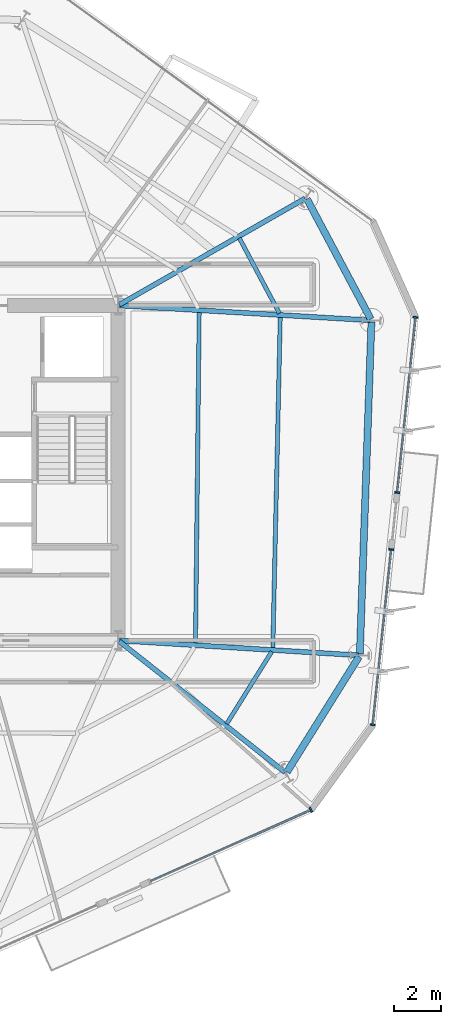
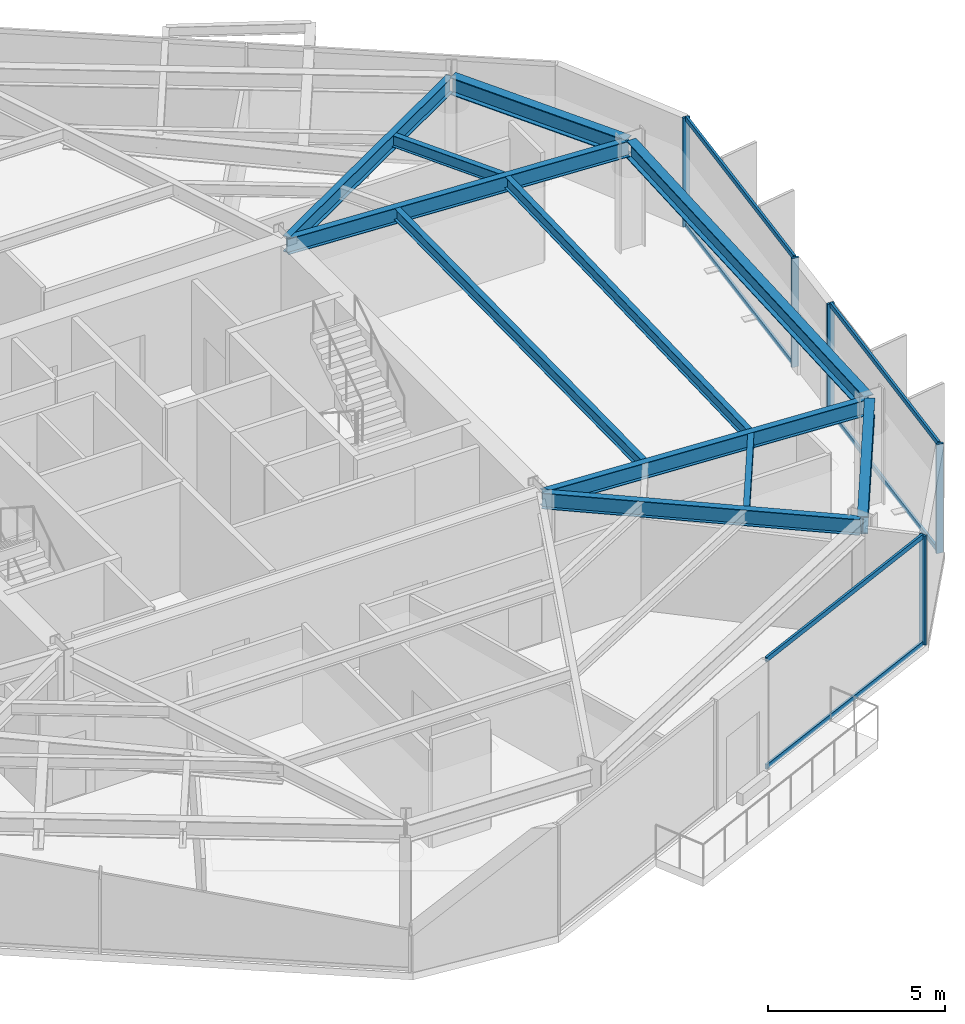
# One storey, part 4 of 13: 11 beams, 11 members, 3 elements without a shape of their own.
"""IFC4 building model written with IfcOpenShell, lengths in metres."""

from ifc_helpers import new_model, si_unit, direction, frame, origin, origin_2d, place, context, subcontext, project, spatial, rectangle, i_section, extrude, material, layer, layer_set, material_profile, profile_set, type_object, element, aggregate, save


model = new_model("IFC4")

# Units and contexts
model_context = context("Model", 3, precision=1e-05, world=origin(), true_north=direction((0.0, 1.0)))
body_context = subcontext(model_context, "Body", "Model", "MODEL_VIEW")
ifc_project = project(units=[si_unit("LENGTHUNIT", "METRE"), si_unit("AREAUNIT", "SQUARE_METRE"), si_unit("VOLUMEUNIT", "CUBIC_METRE"), si_unit("PLANEANGLEUNIT", "RADIAN"), si_unit("MASSUNIT", "GRAM", prefix="KILO")], contexts=[model_context])

# Site, building, storey
site_placement = place(None, origin())
site = spatial("IfcSite", under=ifc_project, at=site_placement, CompositionType="ELEMENT")
building_placement = place(site_placement, origin())
building = spatial("IfcBuilding", under=site, at=building_placement, Name="Kranzbogen Civic Tower", CompositionType="ELEMENT")
storey_placement = place(building_placement, frame((0.0, 0.0, 118.39990234375)))
storey = spatial("IfcBuildingStorey", under=building, at=storey_placement, Name="L28", CompositionType="ELEMENT", Elevation=118.39990234375)

# Curtain wall, member
ifc_material_1 = material(Name="Pale Anodised Aluminium", Category="aluminium")
ifc_layer = layer(ifc_material_1, 0.219970703125, Name="Pale Anodised Aluminium")
ifc_layer_set = layer_set([ifc_layer], Name="Pale Anodised Aluminium")
curtain_wall_type = type_object("IfcCurtainWallType", Name="Zone 2 Stick Curtain Wall System CW-03", PredefinedType="USERDEFINED", material=ifc_layer_set)
curtain_wall_1_placement = place(storey_placement, origin())
curtain_wall_1 = element("IfcCurtainWall", 1, at=curtain_wall_1_placement, inside=storey, type_object=curtain_wall_type, Name="L28 curtain wall CW-L28-F5-S2", ObjectType="STICK CURTAIN WALL", PredefinedType="USERDEFINED")
ifc_material_profile_1 = material_profile(ifc_material_1, rectangle(XDim=0.074951171875, YDim=0.219970703125, at=origin_2d()), Name="ALU-M 75x220")
ifc_profile_set_1 = profile_set([ifc_material_profile_1], Name="Pale Anodised Aluminium")
member_type_1 = type_object("IfcMemberType", Name="Curtain Wall Mullion ALU-M 75x220", PredefinedType="MULLION", material=ifc_profile_set_1)
member_1_placement = place(storey_placement, frame((41.085693359375, 10.518798828125, 0.0), z_axis=(0.0, 0.0, 1.0), x_axis=(0.913519667223, 0.406794564366, 0.0)))
member_1 = element("IfcMember", 2, at=member_1_placement, type_object=member_type_1, Name="CW-03 mullion 2", PredefinedType="MULLION", context=body_context, shape_type="SweptSolid", body=[
    extrude(rectangle(XDim=0.074951171875, YDim=0.219970703125, at=origin_2d()), origin(), (0.0, 0.0, 1.0), 3.760009765625),
])

# Curtain wall, members
curtain_wall_2_placement = place(storey_placement, origin())
curtain_wall_2 = element("IfcCurtainWall", 3, at=curtain_wall_2_placement, inside=storey, type_object=curtain_wall_type, Name="L28 curtain wall CW-L28-F6-S1", ObjectType="STICK CURTAIN WALL", PredefinedType="USERDEFINED")
member_2_placement = place(storey_placement, frame((43.744140625, 14.1767578125, 0.0), z_axis=(0.0, 0.0, 1.0), x_axis=(0.104534766048, 0.994521232899, 0.0)))
member_2 = element("IfcMember", 4, at=member_2_placement, type_object=member_type_1, Name="CW-03 mullion 1", PredefinedType="MULLION", context=body_context, shape_type="SweptSolid", body=[
    extrude(rectangle(XDim=0.074951171875, YDim=0.219970703125, at=origin_2d()), origin(), (0.0, 0.0, 1.0), 3.760009765625),
])
member_3_placement = place(storey_placement, frame((44.535888671875, 21.709228515625, 0.0), z_axis=(0.0, 0.0, 1.0), x_axis=(0.104534766048, 0.994521232899, 0.0)))
member_3 = element("IfcMember", 5, at=member_3_placement, type_object=member_type_1, Name="CW-03 mullion 2", PredefinedType="MULLION", context=body_context, shape_type="SweptSolid", body=[
    extrude(rectangle(XDim=0.074951171875, YDim=0.219970703125, at=origin_2d()), origin(), (0.0, 0.0, 1.0), 3.760009765625),
])

curtain_wall_3_placement = place(storey_placement, origin())
curtain_wall_3 = element("IfcCurtainWall", 6, at=curtain_wall_3_placement, inside=storey, type_object=curtain_wall_type, Name="L28 curtain wall CW-L28-F6-S2", ObjectType="STICK CURTAIN WALL", PredefinedType="USERDEFINED")
member_4_placement = place(storey_placement, frame((44.792236328125, 24.15576171875, 0.0), z_axis=(0.0, 0.0, 1.0), x_axis=(0.104521149206, 0.99452266408, 0.0)))
member_4 = element("IfcMember", 7, at=member_4_placement, type_object=member_type_1, Name="CW-03 mullion 1", PredefinedType="MULLION", context=body_context, shape_type="SweptSolid", body=[
    extrude(rectangle(XDim=0.074951171875, YDim=0.219970703125, at=origin_2d()), origin(), (0.0, 0.0, 1.0), 3.760009765625),
])
member_5_placement = place(storey_placement, frame((45.583984375, 31.689208984375, 0.0), z_axis=(0.0, 0.0, 1.0), x_axis=(0.104521149206, 0.99452266408, 0.0)))
member_5 = element("IfcMember", 8, at=member_5_placement, type_object=member_type_1, Name="CW-03 mullion 2", PredefinedType="MULLION", context=body_context, shape_type="SweptSolid", body=[
    extrude(rectangle(XDim=0.074951171875, YDim=0.219970703125, at=origin_2d()), origin(), (0.0, 0.0, 1.0), 3.760009765625),
])

# Member
ifc_material_profile_2 = material_profile(ifc_material_1, rectangle(XDim=0.074951171875, YDim=0.1650390625, at=origin_2d()), Name="ALU-T 75x165")
ifc_profile_set_2 = profile_set([ifc_material_profile_2], Name="Pale Anodised Aluminium")
member_type_2 = type_object("IfcMemberType", Name="Curtain Wall Transom ALU-T 75x165", PredefinedType="USERDEFINED", material=ifc_profile_set_2)
member_6_placement = place(storey_placement, frame((34.19287109375, 7.449462890625, 0.030029296875), z_axis=(0.913519269137, 0.406795458326, 0.0), x_axis=(-0.406795458326, 0.913519269137, 0.0)))
member_6 = element("IfcMember", 9, at=member_6_placement, type_object=member_type_2, Name="CW-03 transom 1.1", ObjectType="TRANSOM", PredefinedType="USERDEFINED", context=body_context, shape_type="SweptSolid", body=[
    extrude(rectangle(XDim=0.074951171875, YDim=0.1650390625, at=origin_2d()), origin(), (0.0, 0.0, 1.0), 7.51513671875),
])

member_7_placement = place(storey_placement, frame((34.19287109375, 7.449462890625, 3.72998046875), z_axis=(0.913519269137, 0.406795458326, 0.0), x_axis=(-0.406795458326, 0.913519269137, 0.0)))
member_7 = element("IfcMember", 10, at=member_7_placement, type_object=member_type_2, Name="CW-03 transom 1.2", ObjectType="TRANSOM", PredefinedType="USERDEFINED", context=body_context, shape_type="SweptSolid", body=[
    extrude(rectangle(XDim=0.074951171875, YDim=0.1650390625, at=origin_2d()), origin(), (0.0, 0.0, 1.0), 7.51513671875),
])

aggregate(curtain_wall_1, [member_1, member_6, member_7])

member_8_placement = place(storey_placement, frame((43.747314453125, 14.206787109375, 0.030029296875), z_axis=(0.104527485236, 0.994521998163, 0.0), x_axis=(-0.994521998163, 0.104527485236, 0.0)))
member_8 = element("IfcMember", 11, at=member_8_placement, type_object=member_type_2, Name="CW-03 transom 1.1", ObjectType="TRANSOM", PredefinedType="USERDEFINED", context=body_context, shape_type="SweptSolid", body=[
    extrude(rectangle(XDim=0.074951171875, YDim=0.1650390625, at=origin_2d()), origin(), (0.0, 0.0, 1.0), 7.513916015625),
])

member_9_placement = place(storey_placement, frame((43.747314453125, 14.206787109375, 3.72998046875), z_axis=(0.104527485236, 0.994521998163, 0.0), x_axis=(-0.994521998163, 0.104527485236, 0.0)))
member_9 = element("IfcMember", 12, at=member_9_placement, type_object=member_type_2, Name="CW-03 transom 1.2", ObjectType="TRANSOM", PredefinedType="USERDEFINED", context=body_context, shape_type="SweptSolid", body=[
    extrude(rectangle(XDim=0.074951171875, YDim=0.1650390625, at=origin_2d()), origin(), (0.0, 0.0, 1.0), 7.513916015625),
])

aggregate(curtain_wall_2, [member_2, member_3, member_8, member_9])

member_10_placement = place(storey_placement, frame((44.795166015625, 24.185791015625, 0.030029296875), z_axis=(0.10454610906, 0.994520040563, 0.0), x_axis=(-0.994520040563, 0.10454610906, 0.0)))
member_10 = element("IfcMember", 13, at=member_10_placement, type_object=member_type_2, Name="CW-03 transom 1.1", ObjectType="TRANSOM", PredefinedType="USERDEFINED", context=body_context, shape_type="SweptSolid", body=[
    extrude(rectangle(XDim=0.074951171875, YDim=0.1650390625, at=origin_2d()), origin(), (0.0, 0.0, 1.0), 7.514892578125),
])

member_11_placement = place(storey_placement, frame((44.795166015625, 24.185791015625, 3.72998046875), z_axis=(0.10454610906, 0.994520040563, 0.0), x_axis=(-0.994520040563, 0.10454610906, 0.0)))
member_11 = element("IfcMember", 14, at=member_11_placement, type_object=member_type_2, Name="CW-03 transom 1.2", ObjectType="TRANSOM", PredefinedType="USERDEFINED", context=body_context, shape_type="SweptSolid", body=[
    extrude(rectangle(XDim=0.074951171875, YDim=0.1650390625, at=origin_2d()), origin(), (0.0, 0.0, 1.0), 7.514892578125),
])

aggregate(curtain_wall_3, [member_4, member_5, member_10, member_11])

# Beams
ifc_material_2 = material(Name="Steel S355", Category="steel")
ifc_material_profile_3 = material_profile(ifc_material_2, i_section(OverallWidth=0.300048828125, OverallDepth=0.60009765625, WebThickness=0.015380859375, FlangeThickness=0.030029296875, at=origin_2d()), Name="HEB 600")
ifc_profile_set_3 = profile_set([ifc_material_profile_3], Name="Steel S355")
beam_type_1 = type_object("IfcBeamType", Name="Perimeter Tube Spandrel Beam HEB 600", PredefinedType="SPANDREL", material=ifc_profile_set_3)
beam_1_placement = place(storey_placement, frame((40.054931640625, 12.14306640625, 3.460205078125), z_axis=(0.529863902903, 0.848082687242, 0.0), x_axis=(-0.848082687242, 0.529863902903, 0.0)))
element("IfcBeam", 15, at=beam_1_placement, inside=storey, type_object=beam_type_1, Name="L28 perimeter spandrel beam 05", PredefinedType="SPANDREL", context=body_context, shape_type="SweptSolid", body=[
    extrude(i_section(OverallWidth=0.300048828125, OverallDepth=0.60009765625, WebThickness=0.015380859375, FlangeThickness=0.030029296875, at=origin_2d()), origin(), (0.0, 0.0, 1.0), 5.850830078125),
])
beam_2_placement = place(storey_placement, frame((43.18896484375, 17.216064453125, 3.460205078125), z_axis=(0.034924229103, 0.999389963038, 0.0), x_axis=(-0.999389963038, 0.034924229103, 0.0)))
element("IfcBeam", 16, at=beam_2_placement, inside=storey, type_object=beam_type_1, Name="L28 perimeter spandrel beam 06", PredefinedType="SPANDREL", context=body_context, shape_type="SweptSolid", body=[
    extrude(i_section(OverallWidth=0.300048828125, OverallDepth=0.60009765625, WebThickness=0.015380859375, FlangeThickness=0.030029296875, at=origin_2d()), origin(), (0.0, 0.0, 1.0), 14.288818359375),
])
beam_3_placement = place(storey_placement, frame((43.662109375, 31.60888671875, 3.460205078125), z_axis=(-0.469565926668, 0.882897412224, 0.0), x_axis=(-0.882897412224, -0.469565926668, 0.0)))
element("IfcBeam", 17, at=beam_3_placement, inside=storey, type_object=beam_type_1, Name="L28 perimeter spandrel beam 07", PredefinedType="SPANDREL", context=body_context, shape_type="SweptSolid", body=[
    extrude(i_section(OverallWidth=0.300048828125, OverallDepth=0.60009765625, WebThickness=0.015380859375, FlangeThickness=0.030029296875, at=origin_2d()), origin(), (0.0, 0.0, 1.0), 5.852294921875),
])
ifc_material_profile_4 = material_profile(ifc_material_2, i_section(OverallWidth=0.2099609375, OverallDepth=0.550048828125, WebThickness=0.010986328125, FlangeThickness=0.01708984375, at=origin_2d()), Name="IPE 550")
ifc_profile_set_4 = profile_set([ifc_material_profile_4], Name="Steel S355")
beam_type_2 = type_object("IfcBeamType", Name="Radial Tower Floor Girder IPE 550", PredefinedType="BEAM", material=ifc_profile_set_4)
beam_4_placement = place(storey_placement, frame((39.97607421875, 12.12890625, 3.485107421875), z_axis=(-0.78457455683, 0.620034486763, 0.0), x_axis=(-0.620034486763, -0.78457455683, 0.0)))
element("IfcBeam", 18, at=beam_4_placement, inside=storey, type_object=beam_type_2, Name="L28 radial floor girder 05", PredefinedType="BEAM", context=body_context, shape_type="SweptSolid", body=[
    extrude(i_section(OverallWidth=0.2099609375, OverallDepth=0.550048828125, WebThickness=0.010986328125, FlangeThickness=0.01708984375, at=origin_2d()), origin(), (0.0, 0.0, 1.0), 9.086669921875),
])
beam_5_placement = place(storey_placement, frame((43.126953125, 17.159912109375, 3.485107421875), z_axis=(-0.998086872961, 0.061827130147, 0.0), x_axis=(-0.061827130147, -0.998086872961, 0.0)))
element("IfcBeam", 19, at=beam_5_placement, inside=storey, type_object=beam_type_2, Name="L28 radial floor girder 06", PredefinedType="BEAM", context=body_context, shape_type="SweptSolid", body=[
    extrude(i_section(OverallWidth=0.2099609375, OverallDepth=0.550048828125, WebThickness=0.010986328125, FlangeThickness=0.01708984375, at=origin_2d()), origin(), (0.0, 0.0, 1.0), 10.28662109375),
])
beam_6_placement = place(storey_placement, frame((43.6298828125, 31.56005859375, 3.485107421875), z_axis=(-0.998260925387, 0.058950189528, 0.0), x_axis=(-0.058950189528, -0.998260925387, 0.0)))
element("IfcBeam", 20, at=beam_6_placement, inside=storey, type_object=beam_type_2, Name="L28 radial floor girder 07", PredefinedType="BEAM", context=body_context, shape_type="SweptSolid", body=[
    extrude(i_section(OverallWidth=0.2099609375, OverallDepth=0.550048828125, WebThickness=0.010986328125, FlangeThickness=0.01708984375, at=origin_2d()), origin(), (0.0, 0.0, 1.0), 10.78857421875),
])
beam_7_placement = place(storey_placement, frame((40.833984375, 36.799072265625, 3.485107421875), z_axis=(-0.867868812182, -0.496793442833, 0.0), x_axis=(0.496793442833, -0.867868812182, 0.0)))
element("IfcBeam", 21, at=beam_7_placement, inside=storey, type_object=beam_type_2, Name="L28 radial floor girder 08", PredefinedType="BEAM", context=body_context, shape_type="SweptSolid", body=[
    extrude(i_section(OverallWidth=0.2099609375, OverallDepth=0.550048828125, WebThickness=0.010986328125, FlangeThickness=0.01708984375, at=origin_2d()), origin(), (0.0, 0.0, 1.0), 9.197265625),
])
ifc_material_profile_5 = material_profile(ifc_material_2, i_section(OverallWidth=0.179931640625, OverallDepth=0.39990234375, WebThickness=0.008544921875, FlangeThickness=0.013427734375, at=origin_2d()), Name="IPE 400")
ifc_profile_set_5 = profile_set([ifc_material_profile_5], Name="Steel S355")
beam_type_3 = type_object("IfcBeamType", Name="Secondary Composite Floor Joist IPE 400", PredefinedType="JOIST", material=ifc_profile_set_5)
beam_8_placement = place(storey_placement, frame((37.465087890625, 14.215087890625, 3.56005859375), z_axis=(0.529867065107, 0.848080711557, 0.0), x_axis=(-0.848080711557, 0.529867065107, 0.0)))
element("IfcBeam", 22, at=beam_8_placement, inside=storey, type_object=beam_type_3, Name="L28 secondary floor joist 1.05", PredefinedType="JOIST", context=body_context, shape_type="SweptSolid", body=[
    extrude(i_section(OverallWidth=0.179931640625, OverallDepth=0.39990234375, WebThickness=0.008544921875, FlangeThickness=0.013427734375, at=origin_2d()), origin(), (0.0, 0.0, 1.0), 3.6611328125),
])
beam_9_placement = place(storey_placement, frame((39.448974609375, 17.468017578125, 3.56005859375), z_axis=(0.022402523442, 0.999749031979, 0.0), x_axis=(-0.999749031979, 0.022402523442, 0.0)))
element("IfcBeam", 23, at=beam_9_placement, inside=storey, type_object=beam_type_3, Name="L28 secondary floor joist 1.06", PredefinedType="JOIST", context=body_context, shape_type="SweptSolid", body=[
    extrude(i_section(OverallWidth=0.179931640625, OverallDepth=0.39990234375, WebThickness=0.008544921875, FlangeThickness=0.013427734375, at=origin_2d()), origin(), (0.0, 0.0, 1.0), 14.24365234375),
])
beam_10_placement = place(storey_placement, frame((36.125, 17.674072265625, 3.56005859375), z_axis=(0.011160516663, 0.999937719494, 0.0), x_axis=(-0.999937719494, 0.011160516663, 0.0)))
element("IfcBeam", 24, at=beam_10_placement, inside=storey, type_object=beam_type_3, Name="L28 secondary floor joist 2.06", PredefinedType="JOIST", context=body_context, shape_type="SweptSolid", body=[
    extrude(i_section(OverallWidth=0.179931640625, OverallDepth=0.39990234375, WebThickness=0.008544921875, FlangeThickness=0.013427734375, at=origin_2d()), origin(), (0.0, 0.0, 1.0), 14.240966796875),
])
beam_11_placement = place(storey_placement, frame((39.73193359375, 31.85791015625, 3.56005859375), z_axis=(-0.469338791783, 0.88301817565, 0.0), x_axis=(-0.88301817565, -0.469338791783, 0.0)))
element("IfcBeam", 25, at=beam_11_placement, inside=storey, type_object=beam_type_3, Name="L28 secondary floor joist 1.07", PredefinedType="JOIST", context=body_context, shape_type="SweptSolid", body=[
    extrude(i_section(OverallWidth=0.179931640625, OverallDepth=0.39990234375, WebThickness=0.008544921875, FlangeThickness=0.013427734375, at=origin_2d()), origin(), (0.0, 0.0, 1.0), 3.66259765625),
])

save(model, "model.ifc")
